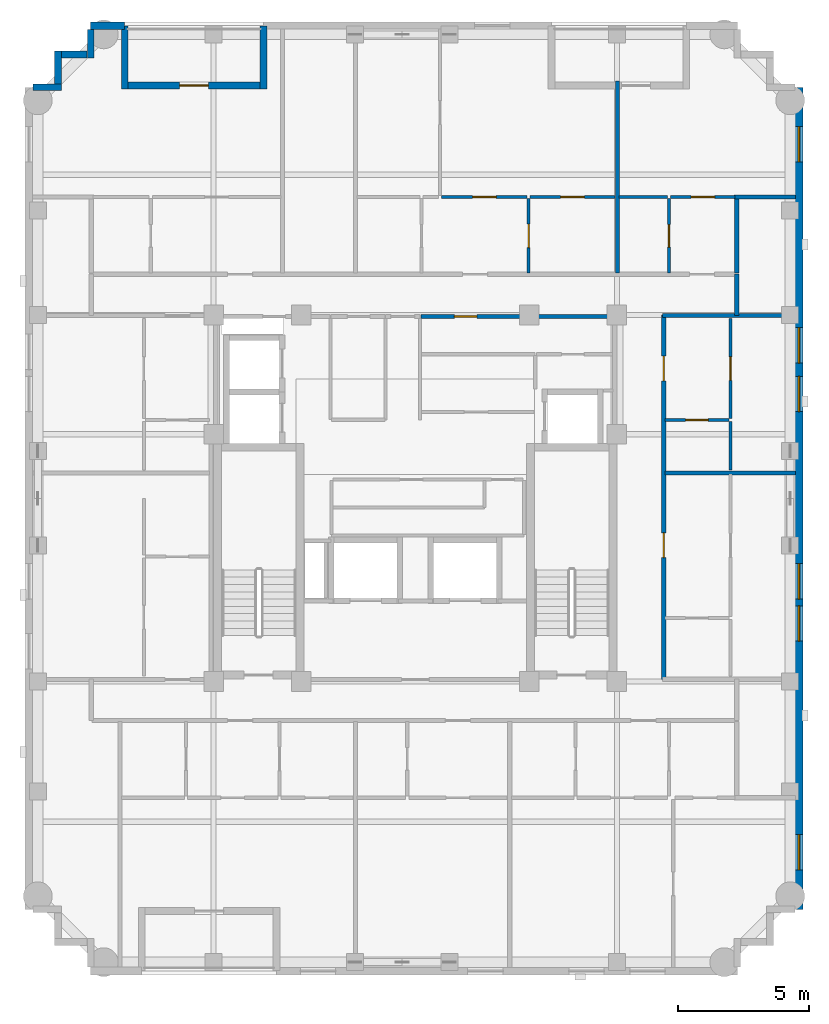
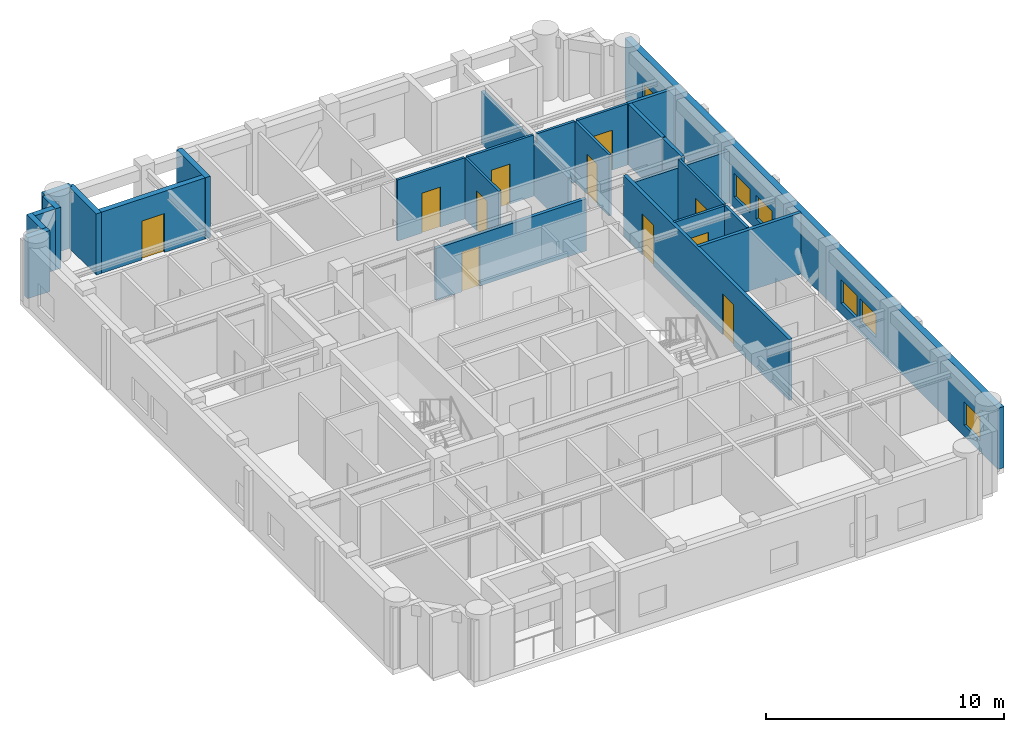
# One storey, part 6 of 10: 26 walls, 11 doors, 6 windows, 17 openings.
"""IFC4 building model written with IfcOpenShell, lengths in metres."""

from ifc_helpers import new_model, si_unit, derived_unit, direction, frame, frame_2d, origin, place, context, subcontext, project, spatial, rectangle, extrude, material, layer, layer_set, type_object, element, fill, save


model = new_model("IFC4")

# Units and contexts
model_context = context("Model", 3, precision=1e-05, world=origin(), true_north=direction((0.0, 1.0)))
body_context = subcontext(model_context, "Body", "Model", "MODEL_VIEW")
ifc_project = project(units=[si_unit("LENGTHUNIT", "METRE"), si_unit("AREAUNIT", "SQUARE_METRE"), si_unit("VOLUMEUNIT", "CUBIC_METRE"), si_unit("PLANEANGLEUNIT", "RADIAN"), si_unit("MASSUNIT", "GRAM", prefix="KILO"), derived_unit("THERMALTRANSMITTANCEUNIT", [(si_unit("MASSUNIT", "GRAM", prefix="KILO"), 1), (si_unit("TIMEUNIT", "SECOND"), -3), (si_unit("THERMODYNAMICTEMPERATUREUNIT", "KELVIN"), -1)])], contexts=[model_context])

# Site, building, storey
site_placement = place(None, origin())
site = spatial("IfcSite", under=ifc_project, at=site_placement, CompositionType="ELEMENT")
building_placement = place(site_placement, origin())
building = spatial("IfcBuilding", under=site, at=building_placement, Name="Korrvale Station Residences", CompositionType="ELEMENT")
storey_placement = place(building_placement, frame((0.0, 0.0, 237.699951171875)))
storey = spatial("IfcBuildingStorey", under=building, at=storey_placement, Name="L69", CompositionType="ELEMENT", Elevation=237.699951171875)

# Wall
ifc_material_1 = material(Name="Precast concrete C45/55", Category="concrete")
ifc_layer_1 = layer(ifc_material_1, 0.260009765625, Name="Precast concrete C45/55")
ifc_layer_set_1 = layer_set([ifc_layer_1], Name="Precast concrete C45/55")
wall_type_1 = type_object("IfcWallType", Name="WAL-EXT-LOG260", PredefinedType="SOLIDWALL", material=ifc_layer_set_1)
wall_1_placement = place(storey_placement, frame((14.39990234375, 40.0400390625, 0.0), z_axis=(0.0, 0.0, 1.0), x_axis=(0.0, -1.0, 0.0)))
element("IfcWall", 1, at=wall_1_placement, inside=storey, type_object=wall_type_1, Name="L69 Recessed Loggia Wall BAL-L69-N2-L", PredefinedType="SOLIDWALL", context=body_context, shape_type="SweptSolid", body=[
    extrude(rectangle(XDim=2.400146484375, YDim=0.260009765625, at=frame_2d((1.2001953125, 0.0))), origin(), (0.0, 0.0, 1.0), 3.14013671875),
])

# Wall, opening, door
wall_2_placement = place(storey_placement, frame((14.533935546875, 37.77001953125, 0.0), z_axis=(0.0, 0.0, 1.0), x_axis=(1.0, 0.0, 0.0)))
wall_2 = element("IfcWall", 2, at=wall_2_placement, inside=storey, type_object=wall_type_1, Name="L69 Recessed Loggia Wall BAL-L69-N2-B", PredefinedType="SOLIDWALL", context=body_context, shape_type="SweptSolid", body=[
    extrude(rectangle(XDim=5.031982421875, YDim=0.260009765625, at=frame_2d((2.51611328125, 0.0))), origin(), (0.0, 0.0, 1.0), 3.14013671875),
])
opening_1_placement = place(wall_2_placement, frame((1.966064453125, 0.0, 0.0)))
opening_1 = element("IfcOpeningElement", 3, at=opening_1_placement, cuts=wall_2, Name="Opening BD-01", PredefinedType="OPENING", context=body_context, shape_type="SweptSolid", body=[
    extrude(rectangle(XDim=1.10009765625, YDim=2.0, at=frame_2d((0.550048828125, 1.0))), frame((0.0, 0.14013671875, 0.0), z_axis=(0.0, -1.0, 0.0), x_axis=(1.0, 0.0, 0.0)), (0.0, 0.0, 1.0), 0.280029296875),
])
ifc_material_2 = material(Name="Exterior thermally broken aluminium glazed balcony door", Category="aluminium")
door_type_1 = type_object("IfcDoorType", Name="DR-EXT-BAL", OperationType="NOTDEFINED", PredefinedType="DOOR", material=ifc_material_2)
door_1_placement = place(opening_1_placement, origin())
door_1 = element("IfcDoor", 4, at=door_1_placement, inside=storey, type_object=door_type_1, Name="L69 Loggia Balcony Door BAL-L69-N2", OperationType="SINGLE_SWING_LEFT", OverallHeight=2.0, OverallWidth=1.10009765625, PredefinedType="DOOR", context=body_context, shape_type="SweptSolid", body=[
    extrude(rectangle(XDim=1.10009765625, YDim=2.0, at=frame_2d((0.550048828125, 1.0))), frame((0.0, 0.02490234375, 0.0), z_axis=(0.0, -1.0, 0.0), x_axis=(1.0, 0.0, 0.0)), (0.0, 0.0, 1.0), 0.050048828125),
])
fill(opening_1, door_1)

# Walls
wall_3_placement = place(storey_placement, frame((19.699951171875, 37.639892578125, 0.0), z_axis=(0.0, 0.0, 1.0), x_axis=(0.0, 1.0, 0.0)))
element("IfcWall", 5, at=wall_3_placement, inside=storey, type_object=wall_type_1, Name="L69 Recessed Loggia Wall BAL-L69-N2-R", PredefinedType="SOLIDWALL", context=body_context, shape_type="SweptSolid", body=[
    extrude(rectangle(XDim=2.400146484375, YDim=0.260009765625, at=frame_2d((1.2001953125, 0.0))), origin(), (0.0, 0.0, 1.0), 3.14013671875),
])
wall_4_placement = place(storey_placement, frame((10.902099609375, 37.699951171875, 0.0), z_axis=(0.0, 0.0, 1.0), x_axis=(1.0, 0.0, 0.0)))
element("IfcWall", 6, at=wall_4_placement, inside=storey, type_object=wall_type_1, Name="L69 Serrated Corner Precast Step NW-1", PredefinedType="SOLIDWALL", context=body_context, shape_type="SweptSolid", body=[
    extrude(rectangle(XDim=1.077880859375, YDim=0.260009765625, at=frame_2d((0.5390625, 0.0))), origin(), (0.0, 0.0, 1.0), 3.14013671875),
])
wall_5_placement = place(storey_placement, frame((11.85009765625, 37.83203125, 0.0), z_axis=(0.0, 0.0, 1.0), x_axis=(0.0, 1.0, 0.0)))
element("IfcWall", 7, at=wall_5_placement, inside=storey, type_object=wall_type_1, Name="L69 Serrated Corner Precast Step NW-2", PredefinedType="SOLIDWALL", context=body_context, shape_type="SweptSolid", body=[
    extrude(rectangle(XDim=1.248046875, YDim=0.260009765625, at=frame_2d((0.6240234375, 0.0))), origin(), (0.0, 0.0, 1.0), 3.14013671875),
])
wall_6_placement = place(storey_placement, frame((11.98193359375, 38.949951171875, 0.0), z_axis=(0.0, 0.0, 1.0), x_axis=(1.0, 0.0, 0.0)))
element("IfcWall", 8, at=wall_6_placement, inside=storey, type_object=wall_type_1, Name="L69 Serrated Corner Precast Step NW-3", PredefinedType="SOLIDWALL", context=body_context, shape_type="SweptSolid", body=[
    extrude(rectangle(XDim=0.986083984375, YDim=0.260009765625, at=frame_2d((0.4931640625, 0.0))), origin(), (0.0, 0.0, 1.0), 3.14013671875),
])
wall_7_placement = place(storey_placement, frame((13.10009765625, 38.820068359375, 0.0), z_axis=(0.0, 0.0, 1.0), x_axis=(0.0, 1.0, 0.0)))
element("IfcWall", 9, at=wall_7_placement, inside=storey, type_object=wall_type_1, Name="L69 Serrated Corner Precast Step NW-4", PredefinedType="SOLIDWALL", context=body_context, shape_type="SweptSolid", body=[
    extrude(rectangle(XDim=1.077880859375, YDim=0.260009765625, at=frame_2d((0.5390625, 0.0))), origin(), (0.0, 0.0, 1.0), 3.14013671875),
])
ifc_layer_2 = layer(ifc_material_1, 0.300048828125, Name="Precast concrete C45/55")
ifc_layer_set_2 = layer_set([ifc_layer_2], Name="Precast concrete C45/55")
wall_type_2 = type_object("IfcWallType", Name="WAL-EXT-PC300", PredefinedType="SOLIDWALL", material=ifc_layer_set_2)
wall_8_placement = place(storey_placement, frame((13.10009765625, 40.050048828125, 0.0), z_axis=(0.0, 0.0, 1.0), x_axis=(1.0, 0.0, 0.0)))
element("IfcWall", 10, at=wall_8_placement, inside=storey, type_object=wall_type_2, Name="L69 North Exterior Precast Wall 1", PredefinedType="SOLIDWALL", context=body_context, shape_type="SweptSolid", body=[
    extrude(rectangle(XDim=1.2998046875, YDim=0.300048828125, at=frame_2d((0.64990234375, 0.0))), origin(), (0.0, 0.0, 1.0), 3.14013671875),
])

# Wall, openings, windows
wall_9_placement = place(storey_placement, frame((40.14990234375, 37.699951171875, 0.0), z_axis=(0.0, 0.0, 1.0), x_axis=(0.0, -1.0, 0.0)))
wall_9 = element("IfcWall", 11, at=wall_9_placement, inside=storey, type_object=wall_type_2, Name="L69 East Exterior Precast Wall 1", PredefinedType="SOLIDWALL", context=body_context, shape_type="SweptSolid", body=[
    extrude(rectangle(XDim=31.39990234375, YDim=0.300048828125, at=frame_2d((15.699951171875, 0.0))), origin(), (0.0, 0.0, 1.0), 3.14013671875),
])
opening_2_placement = place(wall_9_placement, frame((28.5458984375, 0.0, 0.550048828125)))
opening_2 = element("IfcOpeningElement", 12, at=opening_2_placement, cuts=wall_9, Name="Opening W-10", PredefinedType="OPENING", context=body_context, shape_type="SweptSolid", body=[
    extrude(rectangle(XDim=1.35009765625, YDim=1.199951171875, at=frame_2d((0.675048828125, 0.60009765625))), frame((0.0, 0.16015625, 0.0), z_axis=(0.0, -1.0, 0.0), x_axis=(1.0, 0.0, 0.0)), (0.0, 0.0, 1.0), 0.320068359375),
])
opening_3_placement = place(wall_9_placement, frame((1.50390625, 0.0, 0.550048828125)))
opening_3 = element("IfcOpeningElement", 13, at=opening_3_placement, cuts=wall_9, Name="Opening W-10", PredefinedType="OPENING", context=body_context, shape_type="SweptSolid", body=[
    extrude(rectangle(XDim=1.35009765625, YDim=1.199951171875, at=frame_2d((0.675048828125, 0.60009765625))), frame((0.0, 0.16015625, 0.0), z_axis=(0.0, -1.0, 0.0), x_axis=(1.0, 0.0, 0.0)), (0.0, 0.0, 1.0), 0.320068359375),
])
opening_4_placement = place(wall_9_placement, frame((18.199951171875, 0.0, 0.550048828125)))
opening_4 = element("IfcOpeningElement", 14, at=opening_4_placement, cuts=wall_9, Name="Opening W-10", PredefinedType="OPENING", context=body_context, shape_type="SweptSolid", body=[
    extrude(rectangle(XDim=1.35009765625, YDim=1.199951171875, at=frame_2d((0.675048828125, 0.60009765625))), frame((0.0, 0.16015625, 0.0), z_axis=(0.0, -1.0, 0.0), x_axis=(1.0, 0.0, 0.0)), (0.0, 0.0, 1.0), 0.320068359375),
])
opening_5_placement = place(wall_9_placement, frame((19.81005859375, 0.0, 0.550048828125)))
opening_5 = element("IfcOpeningElement", 15, at=opening_5_placement, cuts=wall_9, Name="Opening W-10", PredefinedType="OPENING", context=body_context, shape_type="SweptSolid", body=[
    extrude(rectangle(XDim=1.35009765625, YDim=1.199951171875, at=frame_2d((0.675048828125, 0.60009765625))), frame((0.0, 0.16015625, 0.0), z_axis=(0.0, -1.0, 0.0), x_axis=(1.0, 0.0, 0.0)), (0.0, 0.0, 1.0), 0.320068359375),
])
opening_6_placement = place(wall_9_placement, frame((11.04296875, 0.0, 0.550048828125)))
opening_6 = element("IfcOpeningElement", 16, at=opening_6_placement, cuts=wall_9, Name="Opening W-10", PredefinedType="OPENING", context=body_context, shape_type="SweptSolid", body=[
    extrude(rectangle(XDim=1.35009765625, YDim=1.199951171875, at=frame_2d((0.675048828125, 0.60009765625))), frame((0.0, 0.16015625, 0.0), z_axis=(0.0, -1.0, 0.0), x_axis=(1.0, 0.0, 0.0)), (0.0, 0.0, 1.0), 0.320068359375),
])
opening_7_placement = place(wall_9_placement, frame((9.18505859375, 0.0, 0.550048828125)))
opening_7 = element("IfcOpeningElement", 17, at=opening_7_placement, cuts=wall_9, Name="Opening W-10", PredefinedType="OPENING", context=body_context, shape_type="SweptSolid", body=[
    extrude(rectangle(XDim=1.35009765625, YDim=1.199951171875, at=frame_2d((0.675048828125, 0.60009765625))), frame((0.0, 0.16015625, 0.0), z_axis=(0.0, -1.0, 0.0), x_axis=(1.0, 0.0, 0.0)), (0.0, 0.0, 1.0), 0.320068359375),
])
ifc_material_3 = material(Name="Thermally broken aluminium frame with triple low-e glazing", Category="aluminium")
window_type = type_object("IfcWindowType", Name="WIN-W10", PartitioningType="SINGLE_PANEL", PredefinedType="WINDOW", material=ifc_material_3)
window_1_placement = place(opening_2_placement, origin())
window_1 = element("IfcWindow", 18, at=window_1_placement, inside=storey, type_object=window_type, Name="L69 Punched Window 05", OverallHeight=1.199951171875, OverallWidth=1.35009765625, PartitioningType="SINGLE_PANEL", PredefinedType="WINDOW", context=body_context, shape_type="SweptSolid", body=[
    extrude(rectangle(XDim=1.35009765625, YDim=1.199951171875, at=frame_2d((0.675048828125, 0.60009765625))), frame((0.0, 0.030029296875, 0.0), z_axis=(0.0, -1.0, 0.0), x_axis=(1.0, 0.0, 0.0)), (0.0, 0.0, 1.0), 0.06005859375),
])
fill(opening_2, window_1)
window_2_placement = place(opening_3_placement, origin())
window_2 = element("IfcWindow", 19, at=window_2_placement, inside=storey, type_object=window_type, Name="L69 Punched Window 08", OverallHeight=1.199951171875, OverallWidth=1.35009765625, PartitioningType="SINGLE_PANEL", PredefinedType="WINDOW", context=body_context, shape_type="SweptSolid", body=[
    extrude(rectangle(XDim=1.35009765625, YDim=1.199951171875, at=frame_2d((0.675048828125, 0.60009765625))), frame((0.0, 0.030029296875, 0.0), z_axis=(0.0, -1.0, 0.0), x_axis=(1.0, 0.0, 0.0)), (0.0, 0.0, 1.0), 0.06005859375),
])
fill(opening_3, window_2)
window_3_placement = place(opening_4_placement, origin())
window_3 = element("IfcWindow", 20, at=window_3_placement, inside=storey, type_object=window_type, Name="L69 Punched Window 13", OverallHeight=1.199951171875, OverallWidth=1.35009765625, PartitioningType="SINGLE_PANEL", PredefinedType="WINDOW", context=body_context, shape_type="SweptSolid", body=[
    extrude(rectangle(XDim=1.35009765625, YDim=1.199951171875, at=frame_2d((0.675048828125, 0.60009765625))), frame((0.0, 0.030029296875, 0.0), z_axis=(0.0, -1.0, 0.0), x_axis=(1.0, 0.0, 0.0)), (0.0, 0.0, 1.0), 0.06005859375),
])
fill(opening_4, window_3)
window_4_placement = place(opening_5_placement, origin())
window_4 = element("IfcWindow", 21, at=window_4_placement, inside=storey, type_object=window_type, Name="L69 Punched Window 14", OverallHeight=1.199951171875, OverallWidth=1.35009765625, PartitioningType="SINGLE_PANEL", PredefinedType="WINDOW", context=body_context, shape_type="SweptSolid", body=[
    extrude(rectangle(XDim=1.35009765625, YDim=1.199951171875, at=frame_2d((0.675048828125, 0.60009765625))), frame((0.0, 0.030029296875, 0.0), z_axis=(0.0, -1.0, 0.0), x_axis=(1.0, 0.0, 0.0)), (0.0, 0.0, 1.0), 0.06005859375),
])
fill(opening_5, window_4)
window_5_placement = place(opening_6_placement, origin())
window_5 = element("IfcWindow", 22, at=window_5_placement, inside=storey, type_object=window_type, Name="L69 Punched Window 15", OverallHeight=1.199951171875, OverallWidth=1.35009765625, PartitioningType="SINGLE_PANEL", PredefinedType="WINDOW", context=body_context, shape_type="SweptSolid", body=[
    extrude(rectangle(XDim=1.35009765625, YDim=1.199951171875, at=frame_2d((0.675048828125, 0.60009765625))), frame((0.0, 0.030029296875, 0.0), z_axis=(0.0, -1.0, 0.0), x_axis=(1.0, 0.0, 0.0)), (0.0, 0.0, 1.0), 0.06005859375),
])
fill(opening_6, window_5)
window_6_placement = place(opening_7_placement, origin())
window_6 = element("IfcWindow", 23, at=window_6_placement, inside=storey, type_object=window_type, Name="L69 Punched Window 16", OverallHeight=1.199951171875, OverallWidth=1.35009765625, PartitioningType="SINGLE_PANEL", PredefinedType="WINDOW", context=body_context, shape_type="SweptSolid", body=[
    extrude(rectangle(XDim=1.35009765625, YDim=1.199951171875, at=frame_2d((0.675048828125, 0.60009765625))), frame((0.0, 0.030029296875, 0.0), z_axis=(0.0, -1.0, 0.0), x_axis=(1.0, 0.0, 0.0)), (0.0, 0.0, 1.0), 0.06005859375),
])
fill(opening_7, window_6)

# Wall, opening, door
ifc_material_4 = material(Name="Acoustic steel-stud gypsum board partition", Category="steel")
ifc_layer_3 = layer(ifc_material_4, 0.1201171875, Name="Acoustic steel-stud gypsum board partition")
ifc_layer_set_3 = layer_set([ifc_layer_3], Name="Acoustic steel-stud gypsum board partition")
wall_type_3 = type_object("IfcWallType", Name="WAL-PART-125", PredefinedType="PARTITIONING", material=ifc_layer_set_3)
wall_10_placement = place(storey_placement, frame((29.830078125, 30.60009765625, 0.0), z_axis=(0.0, 0.0, 1.0), x_axis=(0.0, 1.0, 0.0)))
wall_10 = element("IfcWall", 24, at=wall_10_placement, inside=storey, type_object=wall_type_3, Name="L69 Suite Partition U05-V12", PredefinedType="PARTITIONING", context=body_context, shape_type="SweptSolid", body=[
    extrude(rectangle(XDim=2.849853515625, YDim=0.1201171875, at=frame_2d((1.4248046875, 0.0))), origin(), (0.0, 0.0, 1.0), 3.14013671875),
])
opening_8_placement = place(wall_10_placement, frame((0.97509765625, 0.0, 0.0)))
opening_8 = element("IfcOpeningElement", 25, at=opening_8_placement, cuts=wall_10, Name="Opening DI-900", PredefinedType="OPENING", context=body_context, shape_type="SweptSolid", body=[
    extrude(rectangle(XDim=0.89990234375, YDim=2.050048828125, at=frame_2d((0.449951171875, 1.02490234375))), frame((0.0, 0.070068359375, 0.0), z_axis=(0.0, -1.0, 0.0), x_axis=(1.0, 0.0, 0.0)), (0.0, 0.0, 1.0), 0.14013671875),
])
ifc_material_5 = material(Name="Painted solid-core timber interior room door", Category="wood")
door_type_2 = type_object("IfcDoorType", Name="DR-INT-900", OperationType="NOTDEFINED", PredefinedType="DOOR", material=ifc_material_5)
door_2_placement = place(opening_8_placement, origin())
door_2 = element("IfcDoor", 26, at=door_2_placement, inside=storey, type_object=door_type_2, Name="L69 Studio Apartment L69-U05 Kitchen Door", OperationType="SINGLE_SWING_LEFT", OverallHeight=2.050048828125, OverallWidth=0.89990234375, PredefinedType="DOOR", context=body_context, shape_type="SweptSolid", body=[
    extrude(rectangle(XDim=0.89990234375, YDim=2.050048828125, at=frame_2d((0.449951171875, 1.02490234375))), frame((0.0, 0.02490234375, 0.0), z_axis=(0.0, -1.0, 0.0), x_axis=(1.0, 0.0, 0.0)), (0.0, 0.0, 1.0), 0.050048828125),
])
fill(opening_8, door_2)

wall_11_placement = place(storey_placement, frame((26.5, 33.510009765625, 0.0), z_axis=(0.0, 0.0, 1.0), x_axis=(1.0, 0.0, 0.0)))
wall_11 = element("IfcWall", 27, at=wall_11_placement, inside=storey, type_object=wall_type_3, Name="L69 Suite Partition U05-H14", PredefinedType="PARTITIONING", context=body_context, shape_type="SweptSolid", body=[
    extrude(rectangle(XDim=3.27001953125, YDim=0.1201171875, at=frame_2d((1.635009765625, 0.0))), origin(), (0.0, 0.0, 1.0), 3.14013671875),
])
opening_9_placement = place(wall_11_placement, frame((1.18505859375, 0.0, 0.0)))
opening_9 = element("IfcOpeningElement", 28, at=opening_9_placement, cuts=wall_11, Name="Opening DI-900", PredefinedType="OPENING", context=body_context, shape_type="SweptSolid", body=[
    extrude(rectangle(XDim=0.89990234375, YDim=2.050048828125, at=frame_2d((0.449951171875, 1.02490234375))), frame((0.0, 0.070068359375, 0.0), z_axis=(0.0, -1.0, 0.0), x_axis=(1.0, 0.0, 0.0)), (0.0, 0.0, 1.0), 0.14013671875),
])
door_3_placement = place(opening_9_placement, origin())
door_3 = element("IfcDoor", 29, at=door_3_placement, inside=storey, type_object=door_type_2, Name="L69 Studio Apartment L69-U05 Kitchen Door", OperationType="SINGLE_SWING_RIGHT", OverallHeight=2.050048828125, OverallWidth=0.89990234375, PredefinedType="DOOR", context=body_context, shape_type="SweptSolid", body=[
    extrude(rectangle(XDim=0.89990234375, YDim=2.050048828125, at=frame_2d((0.449951171875, 1.02490234375))), frame((0.0, 0.02490234375, 0.0), z_axis=(0.0, -1.0, 0.0), x_axis=(1.0, 0.0, 0.0)), (0.0, 0.0, 1.0), 0.050048828125),
])
fill(opening_9, door_3)

wall_12_placement = place(storey_placement, frame((29.889892578125, 33.510009765625, 0.0), z_axis=(0.0, 0.0, 1.0), x_axis=(1.0, 0.0, 0.0)))
wall_12 = element("IfcWall", 30, at=wall_12_placement, inside=storey, type_object=wall_type_3, Name="L69 Suite Partition U05-H24", PredefinedType="PARTITIONING", context=body_context, shape_type="SweptSolid", body=[
    extrude(rectangle(XDim=3.230224609375, YDim=0.1201171875, at=frame_2d((1.615234375, 0.0))), origin(), (0.0, 0.0, 1.0), 3.14013671875),
])
opening_10_placement = place(wall_12_placement, frame((1.1650390625, 0.0, 0.0)))
opening_10 = element("IfcOpeningElement", 31, at=opening_10_placement, cuts=wall_12, Name="Opening DI-900", PredefinedType="OPENING", context=body_context, shape_type="SweptSolid", body=[
    extrude(rectangle(XDim=0.89990234375, YDim=2.050048828125, at=frame_2d((0.449951171875, 1.02490234375))), frame((0.0, 0.070068359375, 0.0), z_axis=(0.0, -1.0, 0.0), x_axis=(1.0, 0.0, 0.0)), (0.0, 0.0, 1.0), 0.14013671875),
])
door_4_placement = place(opening_10_placement, origin())
door_4 = element("IfcDoor", 32, at=door_4_placement, inside=storey, type_object=door_type_2, Name="L69 Studio Apartment L69-U05 Wardrobe Storage Room Door", OperationType="SINGLE_SWING_LEFT", OverallHeight=2.050048828125, OverallWidth=0.89990234375, PredefinedType="DOOR", context=body_context, shape_type="SweptSolid", body=[
    extrude(rectangle(XDim=0.89990234375, YDim=2.050048828125, at=frame_2d((0.449951171875, 1.02490234375))), frame((0.0, 0.02490234375, 0.0), z_axis=(0.0, -1.0, 0.0), x_axis=(1.0, 0.0, 0.0)), (0.0, 0.0, 1.0), 0.050048828125),
])
fill(opening_10, door_4)

wall_13_placement = place(storey_placement, frame((35.18994140625, 30.60009765625, 0.0), z_axis=(0.0, 0.0, 1.0), x_axis=(0.0, 1.0, 0.0)))
wall_13 = element("IfcWall", 33, at=wall_13_placement, inside=storey, type_object=wall_type_3, Name="L69 Suite Partition U06-V01", PredefinedType="PARTITIONING", context=body_context, shape_type="SweptSolid", body=[
    extrude(rectangle(XDim=2.849853515625, YDim=0.1201171875, at=frame_2d((1.4248046875, 0.0))), origin(), (0.0, 0.0, 1.0), 3.14013671875),
])
opening_11_placement = place(wall_13_placement, frame((0.9951171875, 0.0, 0.0)))
opening_11 = element("IfcOpeningElement", 34, at=opening_11_placement, cuts=wall_13, Name="Opening DB-860", PredefinedType="OPENING", context=body_context, shape_type="SweptSolid", body=[
    extrude(rectangle(XDim=0.860107421875, YDim=2.050048828125, at=frame_2d((0.43017578125, 1.02490234375))), frame((0.0, 0.070068359375, 0.0), z_axis=(0.0, -1.0, 0.0), x_axis=(1.0, 0.0, 0.0)), (0.0, 0.0, 1.0), 0.14013671875),
])
ifc_material_6 = material(Name="Moisture-resistant solid-core bathroom door", Category="timber")
door_type_3 = type_object("IfcDoorType", Name="DR-BATH-860", OperationType="NOTDEFINED", PredefinedType="DOOR", material=ifc_material_6)
door_5_placement = place(opening_11_placement, origin())
door_5 = element("IfcDoor", 35, at=door_5_placement, inside=storey, type_object=door_type_3, Name="L69 Studio Apartment L69-U06 Bathroom Door", OperationType="SINGLE_SWING_LEFT", OverallHeight=2.050048828125, OverallWidth=0.860107421875, PredefinedType="DOOR", context=body_context, shape_type="SweptSolid", body=[
    extrude(rectangle(XDim=0.860107421875, YDim=2.050048828125, at=frame_2d((0.43017578125, 1.02490234375))), frame((0.0, 0.02490234375, 0.0), z_axis=(0.0, -1.0, 0.0), x_axis=(1.0, 0.0, 0.0)), (0.0, 0.0, 1.0), 0.050048828125),
])
fill(opening_11, door_5)

# Wall
wall_14_placement = place(storey_placement, frame((33.280029296875, 33.510009765625, 0.0), z_axis=(0.0, 0.0, 1.0), x_axis=(1.0, 0.0, 0.0)))
element("IfcWall", 36, at=wall_14_placement, inside=storey, type_object=wall_type_3, Name="L69 Suite Partition U06-H02", PredefinedType="PARTITIONING", context=body_context, shape_type="SweptSolid", body=[
    extrude(rectangle(XDim=1.849853515625, YDim=0.1201171875, at=frame_2d((0.9248046875, 0.0))), origin(), (0.0, 0.0, 1.0), 3.14013671875),
])

# Wall, opening, door
wall_15_placement = place(storey_placement, frame((35.25, 33.510009765625, 0.0), z_axis=(0.0, 0.0, 1.0), x_axis=(1.0, 0.0, 0.0)))
wall_15 = element("IfcWall", 37, at=wall_15_placement, inside=storey, type_object=wall_type_3, Name="L69 Suite Partition U06-H12", PredefinedType="PARTITIONING", context=body_context, shape_type="SweptSolid", body=[
    extrude(rectangle(XDim=2.469970703125, YDim=0.1201171875, at=frame_2d((1.23486328125, 0.0))), origin(), (0.0, 0.0, 1.0), 3.14013671875),
])
opening_12_placement = place(wall_15_placement, frame((0.784912109375, 0.0, 0.0)))
opening_12 = element("IfcOpeningElement", 38, at=opening_12_placement, cuts=wall_15, Name="Opening DI-900", PredefinedType="OPENING", context=body_context, shape_type="SweptSolid", body=[
    extrude(rectangle(XDim=0.89990234375, YDim=2.050048828125, at=frame_2d((0.449951171875, 1.02490234375))), frame((0.0, 0.070068359375, 0.0), z_axis=(0.0, -1.0, 0.0), x_axis=(1.0, 0.0, 0.0)), (0.0, 0.0, 1.0), 0.14013671875),
])
door_6_placement = place(opening_12_placement, origin())
door_6 = element("IfcDoor", 39, at=door_6_placement, inside=storey, type_object=door_type_2, Name="L69 Studio Apartment L69-U06 Kitchen Door", OperationType="SINGLE_SWING_RIGHT", OverallHeight=2.050048828125, OverallWidth=0.89990234375, PredefinedType="DOOR", context=body_context, shape_type="SweptSolid", body=[
    extrude(rectangle(XDim=0.89990234375, YDim=2.050048828125, at=frame_2d((0.449951171875, 1.02490234375))), frame((0.0, 0.02490234375, 0.0), z_axis=(0.0, -1.0, 0.0), x_axis=(1.0, 0.0, 0.0)), (0.0, 0.0, 1.0), 0.050048828125),
])
fill(opening_12, door_6)

wall_16_placement = place(storey_placement, frame((35.030029296875, 24.991943359375, 0.0), z_axis=(0.0, 0.0, 1.0), x_axis=(1.0, 0.0, 0.0)))
wall_16 = element("IfcWall", 40, at=wall_16_placement, inside=storey, type_object=wall_type_3, Name="L69 Suite Partition U10-H01", PredefinedType="PARTITIONING", context=body_context, shape_type="SweptSolid", body=[
    extrude(rectangle(XDim=2.449951171875, YDim=0.1201171875, at=frame_2d((1.22509765625, 0.0))), origin(), (0.0, 0.0, 1.0), 3.14013671875),
])
opening_13_placement = place(wall_16_placement, frame((0.794921875, 0.0, 0.0)))
opening_13 = element("IfcOpeningElement", 41, at=opening_13_placement, cuts=wall_16, Name="Opening DB-860", PredefinedType="OPENING", context=body_context, shape_type="SweptSolid", body=[
    extrude(rectangle(XDim=0.860107421875, YDim=2.050048828125, at=frame_2d((0.43017578125, 1.02490234375))), frame((0.0, 0.070068359375, 0.0), z_axis=(0.0, -1.0, 0.0), x_axis=(1.0, 0.0, 0.0)), (0.0, 0.0, 1.0), 0.14013671875),
])
door_7_placement = place(opening_13_placement, origin())
door_7 = element("IfcDoor", 42, at=door_7_placement, inside=storey, type_object=door_type_3, Name="L69 Apartment 1BR L69-U10 Bathroom Door", OperationType="SINGLE_SWING_LEFT", OverallHeight=2.050048828125, OverallWidth=0.860107421875, PredefinedType="DOOR", context=body_context, shape_type="SweptSolid", body=[
    extrude(rectangle(XDim=0.860107421875, YDim=2.050048828125, at=frame_2d((0.43017578125, 1.02490234375))), frame((0.0, 0.02490234375, 0.0), z_axis=(0.0, -1.0, 0.0), x_axis=(1.0, 0.0, 0.0)), (0.0, 0.0, 1.0), 0.050048828125),
])
fill(opening_13, door_7)

# Wall
wall_17_placement = place(storey_placement, frame((37.5400390625, 23.08203125, 0.0), z_axis=(0.0, 0.0, 1.0), x_axis=(0.0, 1.0, 0.0)))
element("IfcWall", 43, at=wall_17_placement, inside=storey, type_object=wall_type_3, Name="L69 Suite Partition U10-V02", PredefinedType="PARTITIONING", context=body_context, shape_type="SweptSolid", body=[
    extrude(rectangle(XDim=1.849853515625, YDim=0.1201171875, at=frame_2d((0.9248046875, 0.0))), origin(), (0.0, 0.0, 1.0), 3.14013671875),
])

# Wall, opening, door
wall_18_placement = place(storey_placement, frame((37.5400390625, 25.052001953125, 0.0), z_axis=(0.0, 0.0, 1.0), x_axis=(0.0, 1.0, 0.0)))
wall_18 = element("IfcWall", 44, at=wall_18_placement, inside=storey, type_object=wall_type_3, Name="L69 Suite Partition U10-V12", PredefinedType="PARTITIONING", context=body_context, shape_type="SweptSolid", body=[
    extrude(rectangle(XDim=3.80810546875, YDim=0.1201171875, at=frame_2d((1.904052734375, 0.0))), origin(), (0.0, 0.0, 1.0), 3.14013671875),
])
opening_14_placement = place(wall_18_placement, frame((1.4541015625, 0.0, 0.0)))
opening_14 = element("IfcOpeningElement", 45, at=opening_14_placement, cuts=wall_18, Name="Opening DI-900", PredefinedType="OPENING", context=body_context, shape_type="SweptSolid", body=[
    extrude(rectangle(XDim=0.89990234375, YDim=2.050048828125, at=frame_2d((0.449951171875, 1.02490234375))), frame((0.0, 0.070068359375, 0.0), z_axis=(0.0, -1.0, 0.0), x_axis=(1.0, 0.0, 0.0)), (0.0, 0.0, 1.0), 0.14013671875),
])
door_8_placement = place(opening_14_placement, origin())
door_8 = element("IfcDoor", 46, at=door_8_placement, inside=storey, type_object=door_type_2, Name="L69 Apartment 1BR L69-U10 Kitchen Door", OperationType="SINGLE_SWING_RIGHT", OverallHeight=2.050048828125, OverallWidth=0.89990234375, PredefinedType="DOOR", context=body_context, shape_type="SweptSolid", body=[
    extrude(rectangle(XDim=0.89990234375, YDim=2.050048828125, at=frame_2d((0.449951171875, 1.02490234375))), frame((0.0, 0.02490234375, 0.0), z_axis=(0.0, -1.0, 0.0), x_axis=(1.0, 0.0, 0.0)), (0.0, 0.0, 1.0), 0.050048828125),
])
fill(opening_14, door_8)

ifc_material_7 = material(Name="Fire-rated twin-stud gypsum and mineral wool shaftwall assembly", Category="gypsum")
ifc_layer_4 = layer(ifc_material_7, 0.159912109375, Name="Fire-rated twin-stud gypsum and mineral wool shaftwall assembly")
ifc_layer_set_4 = layer_set([ifc_layer_4], Name="Fire-rated twin-stud gypsum and mineral wool shaftwall assembly")
wall_type_4 = type_object("IfcWallType", Name="WAL-PART-200", PredefinedType="PARTITIONING", material=ifc_layer_set_4)
wall_19_placement = place(storey_placement, frame((25.719970703125, 28.949951171875, 0.0), z_axis=(0.0, 0.0, 1.0), x_axis=(1.0, 0.0, 0.0)))
wall_19 = element("IfcWall", 47, at=wall_19_placement, inside=storey, type_object=wall_type_4, Name="L69 Core Partition CW-FPLE-N", PredefinedType="PARTITIONING", context=body_context, shape_type="SweptSolid", body=[
    extrude(rectangle(XDim=7.320068359375, YDim=0.159912109375, at=frame_2d((3.66015625, 0.0))), origin(), (0.0, 0.0, 1.0), 2.66796875),
])
opening_15_placement = place(wall_19_placement, frame((1.27001953125, 0.0, 0.0)))
opening_15 = element("IfcOpeningElement", 48, at=opening_15_placement, cuts=wall_19, Name="Opening DB-860", PredefinedType="OPENING", context=body_context, shape_type="SweptSolid", body=[
    extrude(rectangle(XDim=0.860107421875, YDim=2.050048828125, at=frame_2d((0.43017578125, 1.02490234375))), frame((0.0, 0.08984375, 0.0), z_axis=(0.0, -1.0, 0.0), x_axis=(1.0, 0.0, 0.0)), (0.0, 0.0, 1.0), 0.179931640625),
])
door_9_placement = place(opening_15_placement, origin())
door_9 = element("IfcDoor", 49, at=door_9_placement, inside=storey, type_object=door_type_3, Name="L69 Luggage Pantry Door", OperationType="SINGLE_SWING_RIGHT", OverallHeight=2.050048828125, OverallWidth=0.860107421875, PredefinedType="DOOR", context=body_context, shape_type="SweptSolid", body=[
    extrude(rectangle(XDim=0.860107421875, YDim=2.050048828125, at=frame_2d((0.43017578125, 1.02490234375))), frame((0.0, 0.02490234375, 0.0), z_axis=(0.0, -1.0, 0.0), x_axis=(1.0, 0.0, 0.0)), (0.0, 0.0, 1.0), 0.050048828125),
])
fill(opening_15, door_9)

# Walls
wall_20_placement = place(storey_placement, frame((37.780029296875, 28.97998046875, 0.0), z_axis=(0.0, 0.0, 1.0), x_axis=(0.0, 1.0, 0.0)))
element("IfcWall", 50, at=wall_20_placement, inside=storey, type_object=wall_type_4, Name="L69 Corridor North East Cap", PredefinedType="PARTITIONING", context=body_context, shape_type="SweptSolid", body=[
    extrude(rectangle(XDim=1.580078125, YDim=0.159912109375, at=frame_2d((0.7900390625, 0.0))), origin(), (0.0, 0.0, 1.0), 3.14013671875),
])
wall_21_placement = place(storey_placement, frame((34.949951171875, 28.97998046875, 0.0), z_axis=(0.0, 0.0, 1.0), x_axis=(1.0, 0.0, 0.0)))
element("IfcWall", 51, at=wall_21_placement, inside=storey, type_object=wall_type_4, Name="L69 East Wing North Corridor Wall", PredefinedType="PARTITIONING", context=body_context, shape_type="SweptSolid", body=[
    extrude(rectangle(XDim=5.070068359375, YDim=0.159912109375, at=frame_2d((2.53515625, 0.0))), origin(), (0.0, 0.0, 1.0), 2.66796875),
])
wall_22_placement = place(storey_placement, frame((37.679931640625, 33.510009765625, 0.0), z_axis=(0.0, 0.0, 1.0), x_axis=(1.0, 0.0, 0.0)))
element("IfcWall", 52, at=wall_22_placement, inside=storey, type_object=wall_type_4, Name="L69 Corner Step Wall U06-R", PredefinedType="PARTITIONING", context=body_context, shape_type="SweptSolid", body=[
    extrude(rectangle(XDim=2.340087890625, YDim=0.159912109375, at=frame_2d((1.169921875, 0.0))), origin(), (0.0, 0.0, 1.0), 3.14013671875),
])
wall_23_placement = place(storey_placement, frame((37.780029296875, 30.60009765625, 0.0), z_axis=(0.0, 0.0, 1.0), x_axis=(0.0, 1.0, 0.0)))
element("IfcWall", 53, at=wall_23_placement, inside=storey, type_object=wall_type_4, Name="L69 Corner Step Cheek U06-R", PredefinedType="PARTITIONING", context=body_context, shape_type="SweptSolid", body=[
    extrude(rectangle(XDim=2.909912109375, YDim=0.159912109375, at=frame_2d((1.455078125, 0.0))), origin(), (0.0, 0.0, 1.0), 3.14013671875),
])
wall_24_placement = place(storey_placement, frame((33.219970703125, 30.60009765625, 0.0), z_axis=(0.0, 0.0, 1.0), x_axis=(0.0, 1.0, 0.0)))
element("IfcWall", 54, at=wall_24_placement, inside=storey, type_object=wall_type_4, Name="L69 Demising Wall U06-W", PredefinedType="PARTITIONING", context=body_context, shape_type="SweptSolid", body=[
    extrude(rectangle(XDim=7.33984375, YDim=0.159912109375, at=frame_2d((3.669921875, 0.0))), origin(), (0.0, 0.0, 1.0), 2.66796875),
])
wall_25_placement = place(storey_placement, frame((35.030029296875, 22.9619140625, 0.0), z_axis=(0.0, 0.0, 1.0), x_axis=(1.0, 0.0, 0.0)))
element("IfcWall", 55, at=wall_25_placement, inside=storey, type_object=wall_type_4, Name="L69 Demising Wall U09-N", PredefinedType="PARTITIONING", context=body_context, shape_type="SweptSolid", body=[
    extrude(rectangle(XDim=4.989990234375, YDim=0.159912109375, at=frame_2d((2.4951171875, 0.0))), origin(), (0.0, 0.0, 1.0), 3.14013671875),
])

# Wall, openings, doors
wall_26_placement = place(storey_placement, frame((34.989990234375, 15.070068359375, 0.0), z_axis=(0.0, 0.0, 1.0), x_axis=(0.0, 1.0, 0.0)))
wall_26 = element("IfcWall", 56, at=wall_26_placement, inside=storey, type_object=wall_type_4, Name="L69 Rated Corridor Wall E", PredefinedType="PARTITIONING", context=body_context, shape_type="SweptSolid", body=[
    extrude(rectangle(XDim=13.929931640625, YDim=0.159912109375, at=frame_2d((6.96484375, 0.0))), origin(), (0.0, 0.0, 1.0), 3.14013671875),
])
opening_16_placement = place(wall_26_placement, frame((4.660888671875, 0.0, 0.0)))
opening_16 = element("IfcOpeningElement", 57, at=opening_16_placement, cuts=wall_26, Name="Opening UD-950", PredefinedType="OPENING", context=body_context, shape_type="SweptSolid", body=[
    extrude(rectangle(XDim=0.949951171875, YDim=2.10009765625, at=frame_2d((0.47509765625, 1.050048828125))), frame((0.0, 0.08984375, 0.0), z_axis=(0.0, -1.0, 0.0), x_axis=(1.0, 0.0, 0.0)), (0.0, 0.0, 1.0), 0.179931640625),
])
opening_17_placement = place(wall_26_placement, frame((11.410888671875, 0.0, 0.0)))
opening_17 = element("IfcOpeningElement", 58, at=opening_17_placement, cuts=wall_26, Name="Opening UD-950", PredefinedType="OPENING", context=body_context, shape_type="SweptSolid", body=[
    extrude(rectangle(XDim=0.949951171875, YDim=2.10009765625, at=frame_2d((0.47509765625, 1.050048828125))), frame((0.0, 0.08984375, 0.0), z_axis=(0.0, -1.0, 0.0), x_axis=(1.0, 0.0, 0.0)), (0.0, 0.0, 1.0), 0.179931640625),
])
ifc_material_8 = material(Name="Solid-core acoustic oak apartment entrance door", Category="timber")
door_type_4 = type_object("IfcDoorType", Name="DR-UNIT-950", OperationType="NOTDEFINED", PredefinedType="DOOR", material=ifc_material_8)
door_10_placement = place(opening_16_placement, origin())
door_10 = element("IfcDoor", 59, at=door_10_placement, inside=storey, type_object=door_type_4, Name="L69 Apartment L69-U09 Entrance Door", OperationType="SINGLE_SWING_LEFT", OverallHeight=2.10009765625, OverallWidth=0.949951171875, PredefinedType="DOOR", context=body_context, shape_type="SweptSolid", body=[
    extrude(rectangle(XDim=0.949951171875, YDim=2.10009765625, at=frame_2d((0.47509765625, 1.050048828125))), frame((0.0, 0.02490234375, 0.0), z_axis=(0.0, -1.0, 0.0), x_axis=(1.0, 0.0, 0.0)), (0.0, 0.0, 1.0), 0.050048828125),
])
fill(opening_16, door_10)
door_11_placement = place(opening_17_placement, origin())
door_11 = element("IfcDoor", 60, at=door_11_placement, inside=storey, type_object=door_type_4, Name="L69 Apartment L69-U10 Entrance Door", OperationType="SINGLE_SWING_RIGHT", OverallHeight=2.10009765625, OverallWidth=0.949951171875, PredefinedType="DOOR", context=body_context, shape_type="SweptSolid", body=[
    extrude(rectangle(XDim=0.949951171875, YDim=2.10009765625, at=frame_2d((0.47509765625, 1.050048828125))), frame((0.0, 0.02490234375, 0.0), z_axis=(0.0, -1.0, 0.0), x_axis=(1.0, 0.0, 0.0)), (0.0, 0.0, 1.0), 0.050048828125),
])
fill(opening_17, door_11)

save(model, "model.ifc")
